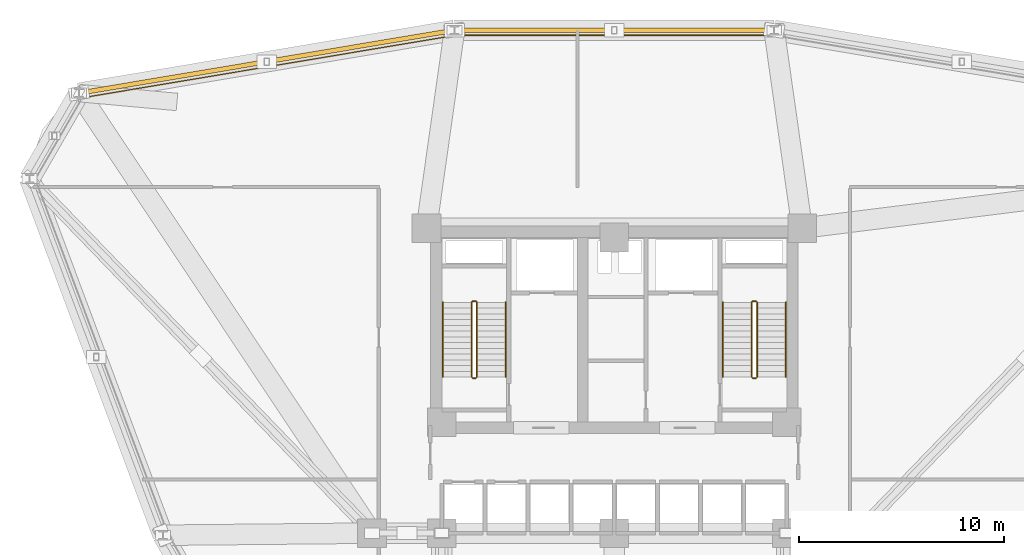
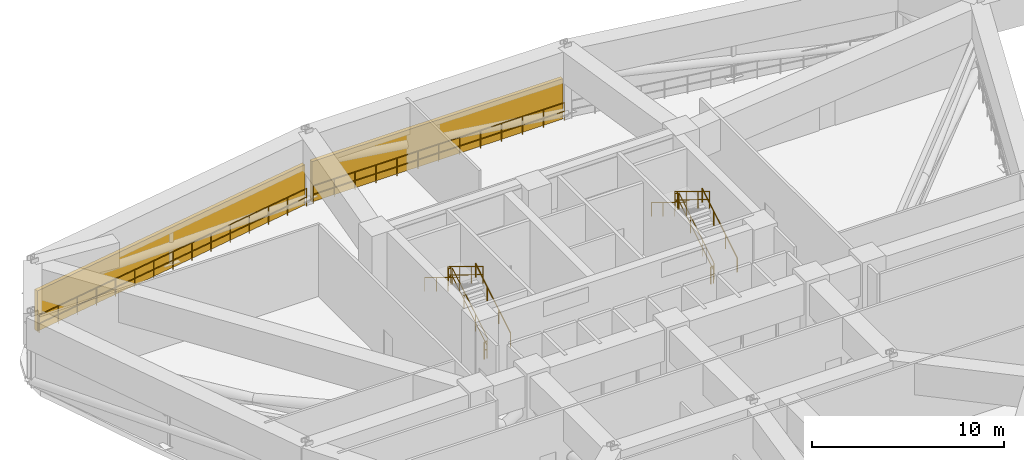
# One storey, part 11 of 12: 14 railings, 2 shading devices.
"""IFC4 building model written with IfcOpenShell, lengths in metres."""

from ifc_helpers import new_model, si_unit, derived_unit, direction, frame, origin, origin_2d, place, context, subcontext, project, spatial, polyline, circle, outline, extrude, material, layer, layer_set, type_object, element, save


model = new_model("IFC4")

# Units and contexts
model_context = context("Model", 3, precision=1e-05, world=origin(), true_north=direction((0.0, 1.0)))
body_context = subcontext(model_context, "Body", "Model", "MODEL_VIEW")
ifc_project = project(units=[si_unit("LENGTHUNIT", "METRE"), si_unit("AREAUNIT", "SQUARE_METRE"), si_unit("VOLUMEUNIT", "CUBIC_METRE"), si_unit("PLANEANGLEUNIT", "RADIAN"), si_unit("MASSUNIT", "GRAM", prefix="KILO"), derived_unit("THERMALTRANSMITTANCEUNIT", [(si_unit("POWERUNIT", "WATT"), 1), (si_unit("LENGTHUNIT", "METRE"), -2), (si_unit("THERMODYNAMICTEMPERATUREUNIT", "KELVIN"), -1)])], contexts=[model_context])

# Site, building, storey
site_placement = place(None, origin())
site = spatial("IfcSite", under=ifc_project, at=site_placement, CompositionType="ELEMENT")
building_placement = place(site_placement, origin())
building = spatial("IfcBuilding", under=site, at=building_placement, Name="Korsvarv Bourse and Concert Hall", CompositionType="ELEMENT")
storey_placement = place(building_placement, frame((0.0, 0.0, 59.10009765625)))
storey = spatial("IfcBuildingStorey", under=building, at=storey_placement, Name="L14", CompositionType="ELEMENT", Elevation=59.10009765625)

# Railings
ifc_material_1 = material(Name="Laminated safety glass and stainless Steel S355 balustrade", Category="steel")
railing_type_1 = type_object("IfcRailingType", Name="RL-BAL-EXT", PredefinedType="BALUSTRADE", material=ifc_material_1)
railing_1_placement = place(storey_placement, frame((43.552734375, 56.639404296875, 0.0)))
element("IfcRailing", 1, at=railing_1_placement, inside=storey, type_object=railing_type_1, Name="L14 Refuge Band Perimeter Safety Balustrade 3", PredefinedType="BALUSTRADE", context=body_context, shape_type="SweptSolid", body=[
    extrude(circle(Radius=0.02392578125, at=origin_2d()), frame((0.0, 0.0, 1.1259765625), z_axis=(-1.0, 0.0, 0.0), x_axis=(0.0, -1.0, 0.0)), (0.0, 0.0, 1.0), 15.10546875),
    extrude(circle(Radius=0.02392578125, at=origin_2d()), frame((0.0, 0.0, 0.574951171875), z_axis=(-1.0, 0.0, 0.0), x_axis=(0.0, -1.0, 0.0)), (0.0, 0.0, 1.0), 15.10546875),
    extrude(circle(Radius=0.02099609375, at=origin_2d()), origin(), (0.0, 0.0, 1.0), 1.101806640625),
    extrude(circle(Radius=0.02099609375, at=origin_2d()), frame((-1.2587890625, 0.0, 0.0)), (0.0, 0.0, 1.0), 1.101806640625),
    extrude(circle(Radius=0.02099609375, at=origin_2d()), frame((-2.517578125, 0.0, 0.0)), (0.0, 0.0, 1.0), 1.101806640625),
    extrude(circle(Radius=0.02099609375, at=origin_2d()), frame((-3.7763671875, 0.0, 0.0)), (0.0, 0.0, 1.0), 1.101806640625),
    extrude(circle(Radius=0.02099609375, at=origin_2d()), frame((-5.03515625, 0.0, 0.0)), (0.0, 0.0, 1.0), 1.101806640625),
    extrude(circle(Radius=0.02099609375, at=origin_2d()), frame((-6.2939453125, 0.0, 0.0)), (0.0, 0.0, 1.0), 1.101806640625),
    extrude(circle(Radius=0.02099609375, at=origin_2d()), frame((-7.552734375, 0.0, 0.0)), (0.0, 0.0, 1.0), 1.101806640625),
    extrude(circle(Radius=0.02099609375, at=origin_2d()), frame((-8.8115234375, 0.0, 0.0)), (0.0, 0.0, 1.0), 1.101806640625),
    extrude(circle(Radius=0.02099609375, at=origin_2d()), frame((-10.0703125, 0.0, 0.0)), (0.0, 0.0, 1.0), 1.101806640625),
    extrude(circle(Radius=0.02099609375, at=origin_2d()), frame((-11.3291015625, 0.0, 0.0)), (0.0, 0.0, 1.0), 1.101806640625),
    extrude(circle(Radius=0.02099609375, at=origin_2d()), frame((-12.587890625, 0.0, 0.0)), (0.0, 0.0, 1.0), 1.101806640625),
    extrude(circle(Radius=0.02099609375, at=origin_2d()), frame((-13.8466796875, 0.0, 0.0)), (0.0, 0.0, 1.0), 1.101806640625),
    extrude(circle(Radius=0.02099609375, at=origin_2d()), frame((-15.10546875, 0.0, 0.0)), (0.0, 0.0, 1.0), 1.101806640625),
])
railing_2_placement = place(storey_placement, frame((28.024658203125, 56.60400390625, 0.0)))
element("IfcRailing", 2, at=railing_2_placement, inside=storey, type_object=railing_type_1, Name="L14 Refuge Band Perimeter Safety Balustrade 4", PredefinedType="BALUSTRADE", context=body_context, shape_type="SweptSolid", body=[
    extrude(circle(Radius=0.02392578125, at=origin_2d()), frame((0.0, 0.0, 1.1259765625), z_axis=(-0.986274247611, -0.165115439916, 0.0), x_axis=(0.165115439916, -0.986274247611, 0.0)), (0.0, 0.0, 1.0), 18.068603515625),
    extrude(circle(Radius=0.02392578125, at=origin_2d()), frame((0.0, 0.0, 0.574951171875), z_axis=(-0.986274247611, -0.165115439916, 0.0), x_axis=(0.165115439916, -0.986274247611, 0.0)), (0.0, 0.0, 1.0), 18.068603515625),
    extrude(circle(Radius=0.02099609375, at=origin_2d()), origin(), (0.0, 0.0, 1.0), 1.101806640625),
    extrude(circle(Radius=0.02099609375, at=origin_2d()), frame((-1.27294921875, -0.213134765625, 0.0)), (0.0, 0.0, 1.0), 1.101806640625),
    extrude(circle(Radius=0.02099609375, at=origin_2d()), frame((-2.5458984375, -0.42626953125, 0.0)), (0.0, 0.0, 1.0), 1.101806640625),
    extrude(circle(Radius=0.02099609375, at=origin_2d()), frame((-3.818603515625, -0.639404296875, 0.0)), (0.0, 0.0, 1.0), 1.101806640625),
    extrude(circle(Radius=0.02099609375, at=origin_2d()), frame((-5.091552734375, -0.852294921875, 0.0)), (0.0, 0.0, 1.0), 1.101806640625),
    extrude(circle(Radius=0.02099609375, at=origin_2d()), frame((-6.364501953125, -1.0654296875, 0.0)), (0.0, 0.0, 1.0), 1.101806640625),
    extrude(circle(Radius=0.02099609375, at=origin_2d()), frame((-7.637451171875, -1.278564453125, 0.0)), (0.0, 0.0, 1.0), 1.101806640625),
    extrude(circle(Radius=0.02099609375, at=origin_2d()), frame((-8.91015625, -1.49169921875, 0.0)), (0.0, 0.0, 1.0), 1.101806640625),
    extrude(circle(Radius=0.02099609375, at=origin_2d()), frame((-10.18310546875, -1.704833984375, 0.0)), (0.0, 0.0, 1.0), 1.101806640625),
    extrude(circle(Radius=0.02099609375, at=origin_2d()), frame((-11.4560546875, -1.91796875, 0.0)), (0.0, 0.0, 1.0), 1.101806640625),
    extrude(circle(Radius=0.02099609375, at=origin_2d()), frame((-12.72900390625, -2.131103515625, 0.0)), (0.0, 0.0, 1.0), 1.101806640625),
    extrude(circle(Radius=0.02099609375, at=origin_2d()), frame((-14.001953125, -2.343994140625, 0.0)), (0.0, 0.0, 1.0), 1.101806640625),
    extrude(circle(Radius=0.02099609375, at=origin_2d()), frame((-15.274658203125, -2.55712890625, 0.0)), (0.0, 0.0, 1.0), 1.101806640625),
    extrude(circle(Radius=0.02099609375, at=origin_2d()), frame((-16.547607421875, -2.770263671875, 0.0)), (0.0, 0.0, 1.0), 1.101806640625),
    extrude(circle(Radius=0.02099609375, at=origin_2d()), frame((-17.820556640625, -2.9833984375, 0.0)), (0.0, 0.0, 1.0), 1.101806640625),
])
ifc_material_2 = material(Name="Painted Steel S355 stair well guardrail", Category="steel")
railing_type_2 = type_object("IfcRailingType", Name="RL-ST-GRD", PredefinedType="GUARDRAIL", material=ifc_material_2)
railing_3_placement = place(storey_placement, frame((29.31005859375, 40.0, 0.17138671875)))
element("IfcRailing", 3, at=railing_3_placement, inside=storey, type_object=railing_type_2, Name="L14 ST-T1 stair guard 1", PredefinedType="GUARDRAIL", context=body_context, shape_type="SweptSolid", body=[
    extrude(circle(Radius=0.02392578125, at=origin_2d()), frame((0.0, 0.0, 1.076171875), z_axis=(0.0, 0.852850264322, 0.5221555579), x_axis=(-1.0, 0.0, 0.0)), (0.0, 0.0, 1.0), 4.267822265625),
    extrude(circle(Radius=0.02392578125, at=origin_2d()), frame((0.0, 0.0, 0.550048828125), z_axis=(0.0, 0.852850264322, 0.5221555579), x_axis=(-1.0, 0.0, 0.0)), (0.0, 0.0, 1.0), 4.267822265625),
    extrude(circle(Radius=0.02099609375, at=origin_2d()), origin(), (0.0, 0.0, 1.0), 1.052001953125),
    extrude(circle(Radius=0.02099609375, at=origin_2d()), frame((0.0, 1.21337890625, 0.742919921875)), (0.0, 0.0, 1.0), 1.052001953125),
    extrude(circle(Radius=0.02099609375, at=origin_2d()), frame((0.0, 2.426513671875, 1.485595703125)), (0.0, 0.0, 1.0), 1.052001953125),
    extrude(circle(Radius=0.02099609375, at=origin_2d()), frame((0.0, 3.639892578125, 2.228515625)), (0.0, 0.0, 1.0), 1.052001953125),
])
railing_4_placement = place(storey_placement, frame((29.260009765625, 43.68994140625, 2.39990234375)))
element("IfcRailing", 4, at=railing_4_placement, inside=storey, type_object=railing_type_2, Name="L14 ST-T1 stair guard 2", PredefinedType="GUARDRAIL", context=body_context, shape_type="SweptSolid", body=[
    extrude(circle(Radius=0.02392578125, at=origin_2d()), frame((0.0, 0.0, 1.076171875), z_axis=(-1.0, 0.0, 0.0), x_axis=(0.0, -1.0, 0.0)), (0.0, 0.0, 1.0), 0.159912109375),
    extrude(circle(Radius=0.02392578125, at=origin_2d()), frame((0.0, 0.0, 0.550048828125), z_axis=(-1.0, 0.0, 0.0), x_axis=(0.0, -1.0, 0.0)), (0.0, 0.0, 1.0), 0.159912109375),
    extrude(circle(Radius=0.02099609375, at=origin_2d()), origin(), (0.0, 0.0, 1.0), 1.052001953125),
    extrude(circle(Radius=0.02099609375, at=origin_2d()), frame((-0.159912109375, 0.0, 0.0)), (0.0, 0.0, 1.0), 1.052001953125),
])
railing_5_placement = place(storey_placement, frame((29.050048828125, 43.639892578125, 2.5712890625)))
element("IfcRailing", 5, at=railing_5_placement, inside=storey, type_object=railing_type_2, Name="L14 ST-T1 stair guard 3", PredefinedType="GUARDRAIL", context=body_context, shape_type="SweptSolid", body=[
    extrude(circle(Radius=0.02392578125, at=origin_2d()), frame((0.0, 0.0, 1.076171875), z_axis=(0.0, -0.852850264322, 0.5221555579), x_axis=(1.0, 0.0, 0.0)), (0.0, 0.0, 1.0), 4.267822265625),
    extrude(circle(Radius=0.02392578125, at=origin_2d()), frame((0.0, 0.0, 0.550048828125), z_axis=(0.0, -0.852850264322, 0.5221555579), x_axis=(1.0, 0.0, 0.0)), (0.0, 0.0, 1.0), 4.267822265625),
    extrude(circle(Radius=0.02099609375, at=origin_2d()), origin(), (0.0, 0.0, 1.0), 1.052001953125),
    extrude(circle(Radius=0.02099609375, at=origin_2d()), frame((0.0, -1.21337890625, 0.742919921875)), (0.0, 0.0, 1.0), 1.052001953125),
    extrude(circle(Radius=0.02099609375, at=origin_2d()), frame((0.0, -2.426513671875, 1.485595703125)), (0.0, 0.0, 1.0), 1.052001953125),
    extrude(circle(Radius=0.02099609375, at=origin_2d()), frame((0.0, -3.639892578125, 2.228515625)), (0.0, 0.0, 1.0), 1.052001953125),
])
railing_6_placement = place(storey_placement, frame((29.260009765625, 39.949951171875, 0.0)))
element("IfcRailing", 6, at=railing_6_placement, inside=storey, type_object=railing_type_2, Name="L14 ST-T1 stair guard 4", PredefinedType="GUARDRAIL", context=body_context, shape_type="SweptSolid", body=[
    extrude(circle(Radius=0.02392578125, at=origin_2d()), frame((0.0, 0.0, 1.076171875), z_axis=(-1.0, 0.0, 0.0), x_axis=(0.0, -1.0, 0.0)), (0.0, 0.0, 1.0), 0.159912109375),
    extrude(circle(Radius=0.02392578125, at=origin_2d()), frame((0.0, 0.0, 0.550048828125), z_axis=(-1.0, 0.0, 0.0), x_axis=(0.0, -1.0, 0.0)), (0.0, 0.0, 1.0), 0.159912109375),
    extrude(circle(Radius=0.02099609375, at=origin_2d()), origin(), (0.0, 0.0, 1.0), 1.052001953125),
    extrude(circle(Radius=0.02099609375, at=origin_2d()), frame((-0.159912109375, 0.0, 0.0)), (0.0, 0.0, 1.0), 1.052001953125),
])
railing_7_placement = place(storey_placement, frame((42.949951171875, 40.0, 0.17138671875)))
element("IfcRailing", 7, at=railing_7_placement, inside=storey, type_object=railing_type_2, Name="L14 ST-T2 stair guard 1", PredefinedType="GUARDRAIL", context=body_context, shape_type="SweptSolid", body=[
    extrude(circle(Radius=0.02392578125, at=origin_2d()), frame((0.0, 0.0, 1.076171875), z_axis=(0.0, 0.852850264322, 0.5221555579), x_axis=(-1.0, 0.0, 0.0)), (0.0, 0.0, 1.0), 4.267822265625),
    extrude(circle(Radius=0.02392578125, at=origin_2d()), frame((0.0, 0.0, 0.550048828125), z_axis=(0.0, 0.852850264322, 0.5221555579), x_axis=(-1.0, 0.0, 0.0)), (0.0, 0.0, 1.0), 4.267822265625),
    extrude(circle(Radius=0.02099609375, at=origin_2d()), origin(), (0.0, 0.0, 1.0), 1.052001953125),
    extrude(circle(Radius=0.02099609375, at=origin_2d()), frame((0.0, 1.21337890625, 0.742919921875)), (0.0, 0.0, 1.0), 1.052001953125),
    extrude(circle(Radius=0.02099609375, at=origin_2d()), frame((0.0, 2.426513671875, 1.485595703125)), (0.0, 0.0, 1.0), 1.052001953125),
    extrude(circle(Radius=0.02099609375, at=origin_2d()), frame((0.0, 3.639892578125, 2.228515625)), (0.0, 0.0, 1.0), 1.052001953125),
])
railing_8_placement = place(storey_placement, frame((42.89990234375, 43.68994140625, 2.39990234375)))
element("IfcRailing", 8, at=railing_8_placement, inside=storey, type_object=railing_type_2, Name="L14 ST-T2 stair guard 2", PredefinedType="GUARDRAIL", context=body_context, shape_type="SweptSolid", body=[
    extrude(circle(Radius=0.02392578125, at=origin_2d()), frame((0.0, 0.0, 1.076171875), z_axis=(-1.0, 0.0, 0.0), x_axis=(0.0, -1.0, 0.0)), (0.0, 0.0, 1.0), 0.159912109375),
    extrude(circle(Radius=0.02392578125, at=origin_2d()), frame((0.0, 0.0, 0.550048828125), z_axis=(-1.0, 0.0, 0.0), x_axis=(0.0, -1.0, 0.0)), (0.0, 0.0, 1.0), 0.159912109375),
    extrude(circle(Radius=0.02099609375, at=origin_2d()), origin(), (0.0, 0.0, 1.0), 1.052001953125),
    extrude(circle(Radius=0.02099609375, at=origin_2d()), frame((-0.159912109375, 0.0, 0.0)), (0.0, 0.0, 1.0), 1.052001953125),
])
railing_9_placement = place(storey_placement, frame((42.68994140625, 43.639892578125, 2.5712890625)))
element("IfcRailing", 9, at=railing_9_placement, inside=storey, type_object=railing_type_2, Name="L14 ST-T2 stair guard 3", PredefinedType="GUARDRAIL", context=body_context, shape_type="SweptSolid", body=[
    extrude(circle(Radius=0.02392578125, at=origin_2d()), frame((0.0, 0.0, 1.076171875), z_axis=(0.0, -0.852850264322, 0.5221555579), x_axis=(1.0, 0.0, 0.0)), (0.0, 0.0, 1.0), 4.267822265625),
    extrude(circle(Radius=0.02392578125, at=origin_2d()), frame((0.0, 0.0, 0.550048828125), z_axis=(0.0, -0.852850264322, 0.5221555579), x_axis=(1.0, 0.0, 0.0)), (0.0, 0.0, 1.0), 4.267822265625),
    extrude(circle(Radius=0.02099609375, at=origin_2d()), origin(), (0.0, 0.0, 1.0), 1.052001953125),
    extrude(circle(Radius=0.02099609375, at=origin_2d()), frame((0.0, -1.21337890625, 0.742919921875)), (0.0, 0.0, 1.0), 1.052001953125),
    extrude(circle(Radius=0.02099609375, at=origin_2d()), frame((0.0, -2.426513671875, 1.485595703125)), (0.0, 0.0, 1.0), 1.052001953125),
    extrude(circle(Radius=0.02099609375, at=origin_2d()), frame((0.0, -3.639892578125, 2.228515625)), (0.0, 0.0, 1.0), 1.052001953125),
])
railing_10_placement = place(storey_placement, frame((42.89990234375, 39.949951171875, 0.0)))
element("IfcRailing", 10, at=railing_10_placement, inside=storey, type_object=railing_type_2, Name="L14 ST-T2 stair guard 4", PredefinedType="GUARDRAIL", context=body_context, shape_type="SweptSolid", body=[
    extrude(circle(Radius=0.02392578125, at=origin_2d()), frame((0.0, 0.0, 1.076171875), z_axis=(-1.0, 0.0, 0.0), x_axis=(0.0, -1.0, 0.0)), (0.0, 0.0, 1.0), 0.159912109375),
    extrude(circle(Radius=0.02392578125, at=origin_2d()), frame((0.0, 0.0, 0.550048828125), z_axis=(-1.0, 0.0, 0.0), x_axis=(0.0, -1.0, 0.0)), (0.0, 0.0, 1.0), 0.159912109375),
    extrude(circle(Radius=0.02099609375, at=origin_2d()), origin(), (0.0, 0.0, 1.0), 1.052001953125),
    extrude(circle(Radius=0.02099609375, at=origin_2d()), frame((-0.159912109375, 0.0, 0.0)), (0.0, 0.0, 1.0), 1.052001953125),
])
ifc_material_3 = material(Name="Brushed stainless Steel S355 tubular handrail", Category="steel")
railing_type_3 = type_object("IfcRailingType", Name="RL-ST-HND", PredefinedType="HANDRAIL", material=ifc_material_3)
railing_11_placement = place(storey_placement, frame((30.7099609375, 40.0, 0.17138671875)))
element("IfcRailing", 11, at=railing_11_placement, inside=storey, type_object=railing_type_3, Name="L14 ST-T1 stair handrail 1", PredefinedType="HANDRAIL", context=body_context, shape_type="SweptSolid", body=[
    extrude(circle(Radius=0.02392578125, at=origin_2d()), frame((0.0, 0.0, 0.8759765625), z_axis=(0.0, 0.852850264322, 0.5221555579), x_axis=(-1.0, 0.0, 0.0)), (0.0, 0.0, 1.0), 4.267822265625),
    extrude(circle(Radius=0.02099609375, at=origin_2d()), origin(), (0.0, 0.0, 1.0), 0.851806640625),
    extrude(circle(Radius=0.02099609375, at=origin_2d()), frame((0.0, 1.21337890625, 0.742919921875)), (0.0, 0.0, 1.0), 0.851806640625),
    extrude(circle(Radius=0.02099609375, at=origin_2d()), frame((0.0, 2.426513671875, 1.485595703125)), (0.0, 0.0, 1.0), 0.851806640625),
    extrude(circle(Radius=0.02099609375, at=origin_2d()), frame((0.0, 3.639892578125, 2.228515625)), (0.0, 0.0, 1.0), 0.851806640625),
])
railing_12_placement = place(storey_placement, frame((27.64990234375, 43.639892578125, 2.5712890625)))
element("IfcRailing", 12, at=railing_12_placement, inside=storey, type_object=railing_type_3, Name="L14 ST-T1 stair handrail 2", PredefinedType="HANDRAIL", context=body_context, shape_type="SweptSolid", body=[
    extrude(circle(Radius=0.02392578125, at=origin_2d()), frame((0.0, 0.0, 0.8759765625), z_axis=(0.0, -0.852850264322, 0.5221555579), x_axis=(1.0, 0.0, 0.0)), (0.0, 0.0, 1.0), 4.267822265625),
    extrude(circle(Radius=0.02099609375, at=origin_2d()), origin(), (0.0, 0.0, 1.0), 0.851806640625),
    extrude(circle(Radius=0.02099609375, at=origin_2d()), frame((0.0, -1.21337890625, 0.742919921875)), (0.0, 0.0, 1.0), 0.851806640625),
    extrude(circle(Radius=0.02099609375, at=origin_2d()), frame((0.0, -2.426513671875, 1.485595703125)), (0.0, 0.0, 1.0), 0.851806640625),
    extrude(circle(Radius=0.02099609375, at=origin_2d()), frame((0.0, -3.639892578125, 2.228515625)), (0.0, 0.0, 1.0), 0.851806640625),
])
railing_13_placement = place(storey_placement, frame((44.35009765625, 40.0, 0.17138671875)))
element("IfcRailing", 13, at=railing_13_placement, inside=storey, type_object=railing_type_3, Name="L14 ST-T2 stair handrail 1", PredefinedType="HANDRAIL", context=body_context, shape_type="SweptSolid", body=[
    extrude(circle(Radius=0.02392578125, at=origin_2d()), frame((0.0, 0.0, 0.8759765625), z_axis=(0.0, 0.852850264322, 0.5221555579), x_axis=(-1.0, 0.0, 0.0)), (0.0, 0.0, 1.0), 4.267822265625),
    extrude(circle(Radius=0.02099609375, at=origin_2d()), origin(), (0.0, 0.0, 1.0), 0.851806640625),
    extrude(circle(Radius=0.02099609375, at=origin_2d()), frame((0.0, 1.21337890625, 0.742919921875)), (0.0, 0.0, 1.0), 0.851806640625),
    extrude(circle(Radius=0.02099609375, at=origin_2d()), frame((0.0, 2.426513671875, 1.485595703125)), (0.0, 0.0, 1.0), 0.851806640625),
    extrude(circle(Radius=0.02099609375, at=origin_2d()), frame((0.0, 3.639892578125, 2.228515625)), (0.0, 0.0, 1.0), 0.851806640625),
])
railing_14_placement = place(storey_placement, frame((41.2900390625, 43.639892578125, 2.5712890625)))
element("IfcRailing", 14, at=railing_14_placement, inside=storey, type_object=railing_type_3, Name="L14 ST-T2 stair handrail 2", PredefinedType="HANDRAIL", context=body_context, shape_type="SweptSolid", body=[
    extrude(circle(Radius=0.02392578125, at=origin_2d()), frame((0.0, 0.0, 0.8759765625), z_axis=(0.0, -0.852850264322, 0.5221555579), x_axis=(1.0, 0.0, 0.0)), (0.0, 0.0, 1.0), 4.267822265625),
    extrude(circle(Radius=0.02099609375, at=origin_2d()), origin(), (0.0, 0.0, 1.0), 0.851806640625),
    extrude(circle(Radius=0.02099609375, at=origin_2d()), frame((0.0, -1.21337890625, 0.742919921875)), (0.0, 0.0, 1.0), 0.851806640625),
    extrude(circle(Radius=0.02099609375, at=origin_2d()), frame((0.0, -2.426513671875, 1.485595703125)), (0.0, 0.0, 1.0), 0.851806640625),
    extrude(circle(Radius=0.02099609375, at=origin_2d()), frame((0.0, -3.639892578125, 2.228515625)), (0.0, 0.0, 1.0), 0.851806640625),
])

# Shading devices
ifc_material_4 = material(Name="Marine-grade powder-coated aluminium acoustic storm louvre", Category="aluminium")
ifc_layer = layer(ifc_material_4, 0.219970703125)
ifc_layer_set = layer_set([ifc_layer], Name="Marine-grade powder-coated aluminium acoustic storm louvre")
shading_device_type = type_object("IfcShadingDeviceType", Name="SHD-LVR-1", PredefinedType="JALOUSIE", material=ifc_layer_set)
shading_device_1_placement = place(storey_placement, origin())
element("IfcShadingDevice", 15, at=shading_device_1_placement, inside=storey, type_object=shading_device_type, Name="L14 Refuge Acoustic Storm Louvre Bay 3", PredefinedType="JALOUSIE", context=body_context, shape_type="SweptSolid", body=[
    extrude(outline(polyline([(43.552734375, 56.779541015625), (28.447265625, 56.779541015625), (28.447265625, 56.99951171875), (43.552734375, 56.99951171875), (43.552734375, 56.779541015625)])), origin(), (0.0, 0.0, 1.0), 2.56982421875),
])
shading_device_2_placement = place(storey_placement, origin())
element("IfcShadingDevice", 16, at=shading_device_2_placement, inside=storey, type_object=shading_device_type, Name="L14 Refuge Acoustic Storm Louvre Bay 4", PredefinedType="JALOUSIE", context=body_context, shape_type="SweptSolid", body=[
    extrude(outline(polyline([(28.00146484375, 56.7421875), (10.180908203125, 53.7587890625), (10.14453125, 53.975830078125), (27.965087890625, 56.959228515625), (28.00146484375, 56.7421875)])), origin(), (0.0, 0.0, 1.0), 2.56982421875),
])

save(model, "model.ifc")
